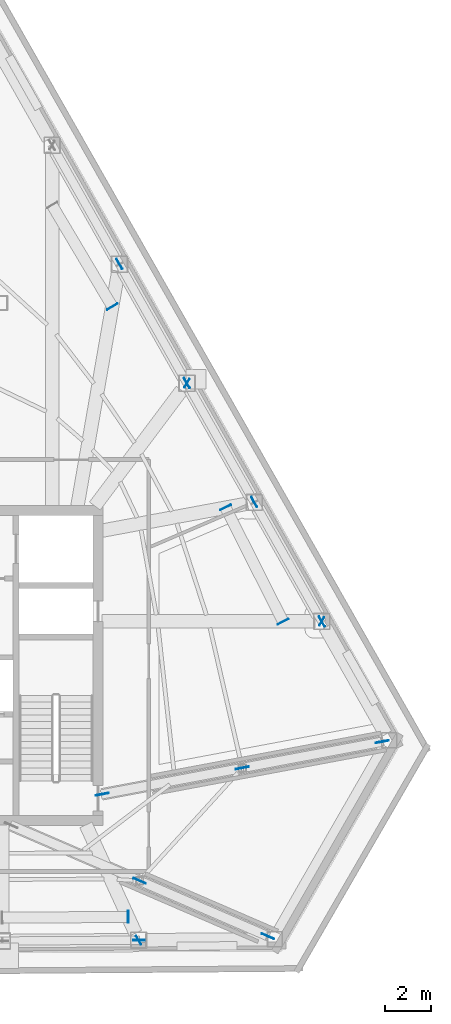
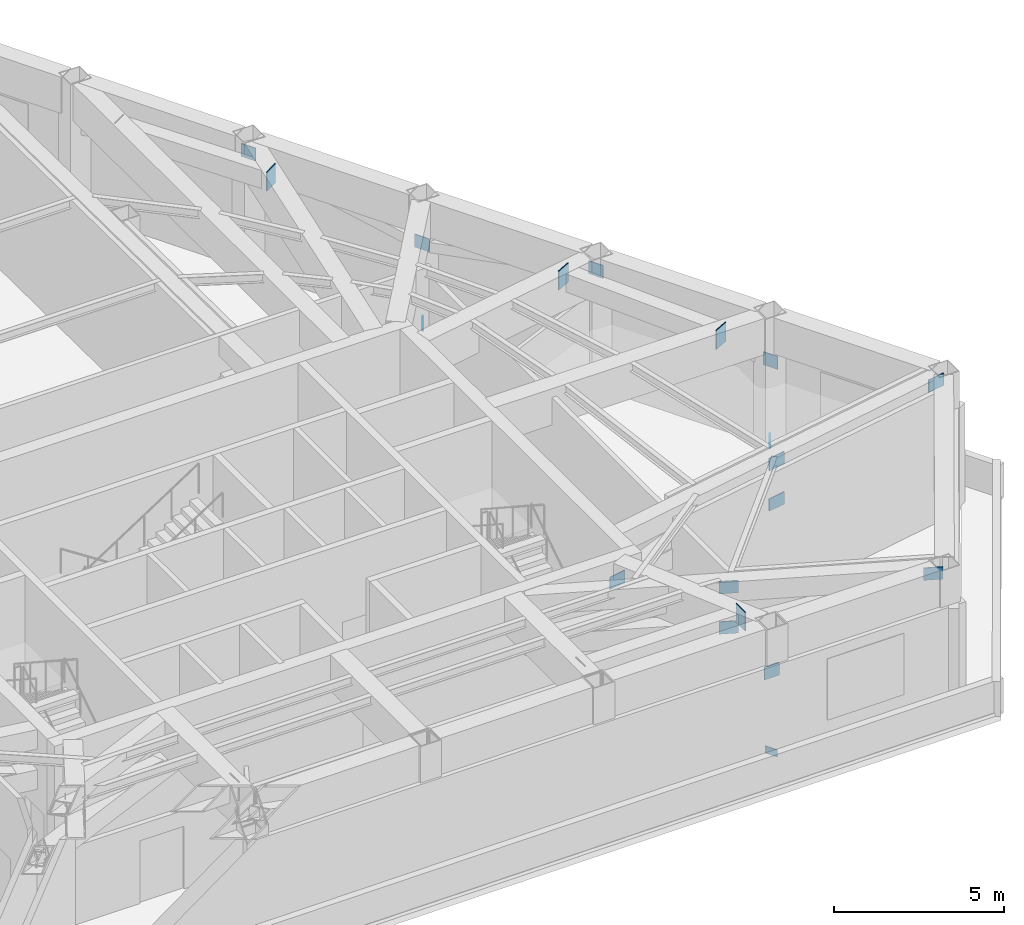
# One storey, part 7 of 13: 19 plates.
"""IFC4 building model written with IfcOpenShell, lengths in metres."""

import ifcopenshell
import ifcopenshell.guid

model = None  # the IFC model being written
_history = None  # IfcOwnerHistory: only IFC2X3 demands one
_inside = {}  # id of a spatial element -> (the spatial element, [elements in it])
_under = {}  # id of a project, library or spatial element -> (it, [spatial elements below it])
_declared = {}  # id of a project -> (the project, [libraries it declares])
_typed = {}  # id of a type object -> (the type object, [elements of that type])
_made_of = {}  # id of a material, layer set ... -> (it, [elements and type objects made of it])


def new_model(schema):
    """Start an empty IFC model of exactly this schema.

    Asked for "IFC4X3", IfcOpenShell would pick the latest addendum, in which some entities
    have other attributes; the version numbers below select the first issue.
    IFC2X3 requires an IfcOwnerHistory on every rooted entity: one is made here for all.
    """
    global model, _history
    if schema == "IFC4X3":
        model = ifcopenshell.file(schema_version=(4, 3, 0, 0))
    else:
        model = ifcopenshell.file(schema=schema)
    _inside.clear()
    _under.clear()
    _declared.clear()
    _typed.clear()
    _made_of.clear()
    _history = None
    if model.schema == "IFC2X3":
        org = make("IfcOrganization", Name="unknown")
        user = make(
            "IfcPersonAndOrganization",
            ThePerson=make("IfcPerson", FamilyName="unknown"),
            TheOrganization=org,
        )
        app = make(
            "IfcApplication",
            ApplicationDeveloper=org,
            Version="unknown",
            ApplicationFullName="unknown",
            ApplicationIdentifier="unknown",
        )
        _history = make(
            "IfcOwnerHistory",
            OwningUser=user,
            OwningApplication=app,
            ChangeAction="ADDED",
            CreationDate=0,
        )
    return model


def make(cls, **values):
    """One entity of the class cls with the attributes given. An attribute that is None is left unset."""
    return model.create_entity(
        cls, **{name: value for name, value in values.items() if value is not None}
    )


def rooted(cls, **values):
    """An entity with a GlobalId (a new one), such as an element, a storey or a relation."""
    return make(cls, GlobalId=ifcopenshell.guid.new(), OwnerHistory=_history, **values)


def si_unit(unit_type, name, prefix=None):
    """IfcSIUnit, for example si_unit("LENGTHUNIT", "METRE", prefix="MILLI")."""
    return make("IfcSIUnit", UnitType=unit_type, Prefix=prefix, Name=name)


def assignment(units):
    """IfcUnitAssignment: the units of a project."""
    return None if units is None else make("IfcUnitAssignment", Units=units)


def point(xyz):
    """IfcCartesianPoint."""
    return None if xyz is None else make("IfcCartesianPoint", Coordinates=xyz)


def direction(xyz):
    """IfcDirection."""
    return None if xyz is None else make("IfcDirection", DirectionRatios=xyz)


def frame(location, z_axis=None, x_axis=None):
    """IfcAxis2Placement3D, a coordinate frame: its origin and axes. An axis left out is left unset."""
    return make(
        "IfcAxis2Placement3D",
        Location=point(location),
        Axis=direction(z_axis),
        RefDirection=direction(x_axis),
    )


def frame_2d(location, x_axis=None):
    """IfcAxis2Placement2D, a coordinate frame in the plane: its origin and x axis."""
    return make(
        "IfcAxis2Placement2D", Location=point(location), RefDirection=direction(x_axis)
    )


def origin():
    """The frame at (0, 0, 0) with its axes left unset."""
    return frame((0.0, 0.0, 0.0))


def origin_2d():
    """The frame at (0, 0) in the plane with its x axis left unset."""
    return frame_2d((0.0, 0.0))


def place(relative_to, where):
    """IfcLocalPlacement: puts the frame where relative to a parent placement (None: the world)."""
    return make(
        "IfcLocalPlacement", PlacementRelTo=relative_to, RelativePlacement=where
    )


def context(
    kind, dimensions, precision=None, world=None, true_north=None, identifier=None
):
    """IfcGeometricRepresentationContext, for example the 3D "Model" context."""
    return make(
        "IfcGeometricRepresentationContext",
        ContextIdentifier=identifier,
        ContextType=kind,
        CoordinateSpaceDimension=dimensions,
        Precision=precision,
        WorldCoordinateSystem=world,
        TrueNorth=true_north,
    )


def subcontext(parent, identifier, kind, view, scale=None):
    """IfcGeometricRepresentationSubContext, for example "Body" below "Model"."""
    return make(
        "IfcGeometricRepresentationSubContext",
        ContextIdentifier=identifier,
        ContextType=kind,
        ParentContext=parent,
        TargetScale=scale,
        TargetView=view,
    )


def project(units=None, contexts=None):
    """IfcProject with its units and contexts."""
    return rooted(
        "IfcProject",
        Name="project",
        RepresentationContexts=contexts,
        UnitsInContext=assignment(units),
    )


def spatial(cls, under=None, at=None, **own):
    """A site, building, storey or space (cls), placed at a placement, below another one or the project."""
    s = rooted(cls, ObjectPlacement=at, **own)
    if under is not None:
        _under.setdefault(under.id(), (under, []))[1].append(s)
    return s


def profile(cls, at=None, kind="AREA", **sizes):
    """A parametric profile (cls). Its sizes go by their IFC names, for example OverallWidth=200.0."""
    return make(cls, ProfileType=kind, Position=at, **sizes)


def rectangle(**sizes):
    """IfcRectangleProfileDef."""
    return profile("IfcRectangleProfileDef", **sizes)


def extrude(swept, where, along, depth):
    """IfcExtrudedAreaSolid: the profile swept, set in the frame where, extruded along a direction by depth."""
    return make(
        "IfcExtrudedAreaSolid",
        SweptArea=swept,
        Position=where,
        ExtrudedDirection=direction(along),
        Depth=depth,
    )


def shape(context_of_items, identifier, shape_type, items):
    """IfcShapeRepresentation: the items that make up one representation, for example the "Body"."""
    return make(
        "IfcShapeRepresentation",
        ContextOfItems=context_of_items,
        RepresentationIdentifier=identifier,
        RepresentationType=shape_type,
        Items=items,
    )


def material(Name=None, Category=None):
    """IfcMaterial."""
    return make("IfcMaterial", Name=Name, Category=Category)


def layer(
    of_material, thickness, ventilated=None, Name=None, Category=None, Priority=None
):
    """IfcMaterialLayer: one layer of a wall or slab, of a material (None: an air gap)."""
    return make(
        "IfcMaterialLayer",
        Material=of_material,
        LayerThickness=thickness,
        IsVentilated=ventilated,
        Name=Name,
        Category=Category,
        Priority=Priority,
    )


def layer_set(layers, Name=None):
    """IfcMaterialLayerSet."""
    return make("IfcMaterialLayerSet", MaterialLayers=layers, LayerSetName=Name)


def made_of(thing, what):
    """Note that an element or type object is made of a material, layer set ...; save() writes the relation."""
    if what is not None:
        _made_of.setdefault(what.id(), (what, []))[1].append(thing)
    return thing


def type_object(cls, material=None, **own):
    """A type object (cls), such as IfcWallType, which elements share."""
    return made_of(rooted(cls, **own), material)


def element(
    cls,
    number,
    at=None,
    inside=None,
    cuts=None,
    type_object=None,
    material=None,
    context=None,
    identifier="Body",
    shape_type=None,
    held_by="IfcProductDefinitionShape",
    body=None,
    shapes=None,
    **own,
):
    """One element of the class cls, such as IfcWall. Its Tag is "e" and its number.

    at: its placement. inside: the storey or other place that contains it. cuts: it is an
    opening in that element (IfcRelVoidsElement). A single representation is given by context,
    identifier, shape_type and body (its items); several are given by shapes. held_by: the class
    of the entity that holds the representations. save() writes the other relations.
    """
    e = rooted(cls, Tag="e%d" % number, ObjectPlacement=at, **own)
    if body is not None:
        shapes = [shape(context, identifier, shape_type, body)]
    if shapes is not None:
        e.Representation = make(held_by, Representations=shapes)
    if inside is not None:
        _inside.setdefault(inside.id(), (inside, []))[1].append(e)
    if cuts is not None:
        rooted(
            "IfcRelVoidsElement", RelatingBuildingElement=cuts, RelatedOpeningElement=e
        )
    if type_object is not None:
        _typed.setdefault(type_object.id(), (type_object, []))[1].append(e)
    return made_of(e, material)


def aggregate(whole, parts):
    """IfcRelAggregates: a whole, such as a stair, and the parts it consists of."""
    return rooted("IfcRelAggregates", RelatingObject=whole, RelatedObjects=parts)


def save(model, path):
    """Write the relations noted so far, then the file.

    IfcRelAggregates (storeys below a building ...), IfcRelContainedInSpatialStructure (elements
    in a storey), IfcRelDefinesByType, IfcRelAssociatesMaterial and IfcRelDeclares: one each for
    every whole, place, type object, material and project.
    """
    for whole, parts in _under.values():
        aggregate(whole, parts)
    for where, things in _inside.values():
        rooted(
            "IfcRelContainedInSpatialStructure",
            RelatedElements=things,
            RelatingStructure=where,
        )
    for kind, things in _typed.values():
        rooted("IfcRelDefinesByType", RelatedObjects=things, RelatingType=kind)
    for what, things in _made_of.values():
        rooted("IfcRelAssociatesMaterial", RelatedObjects=things, RelatingMaterial=what)
    for by, libraries in _declared.values():
        rooted("IfcRelDeclares", RelatingContext=by, RelatedDefinitions=libraries)
    model.write(path)


model = new_model("IFC4")

# Units and contexts
model_context = context("Model", 3, precision=1e-05, world=origin(), true_north=direction((0.0, 1.0)))
body_context = subcontext(model_context, "Body", "Model", "MODEL_VIEW")
ifc_project = project(units=[si_unit("LENGTHUNIT", "METRE"), si_unit("AREAUNIT", "SQUARE_METRE"), si_unit("VOLUMEUNIT", "CUBIC_METRE"), si_unit("PLANEANGLEUNIT", "RADIAN"), si_unit("MASSUNIT", "GRAM", prefix="KILO")], contexts=[model_context])

# Site, building, storey
site_placement = place(None, origin())
site = spatial("IfcSite", under=ifc_project, at=site_placement, CompositionType="ELEMENT")
building_placement = place(site_placement, origin())
building = spatial("IfcBuilding", under=site, at=building_placement, Name="Kavelnor Concourse Tower", CompositionType="ELEMENT")
storey_placement = place(building_placement, frame((0.0, 0.0, 154.800048828125)))
storey = spatial("IfcBuildingStorey", under=building, at=storey_placement, Name="L39", CompositionType="ELEMENT", Elevation=154.800048828125)

# Plates
ifc_material = material(Name="Steel Grade 350", Category="steel")
ifc_layer_1 = layer(ifc_material, 0.035888671875, Name="Steel Grade 350")
ifc_layer_set_1 = layer_set([ifc_layer_1], Name="Steel Grade 350")
plate_type_1 = type_object("IfcPlateType", Name="PL-GUSSET-OUTRIG", PredefinedType="USERDEFINED", material=ifc_layer_set_1)
for number, where, z_axis, x_axis, name in (
    (1, (49.539306640625, 6.7734375, 2.9599609375), (0.0, 0.0, 1.0), (0.917893200535, -0.396827509647, 0.0), "L39 Outrigger Truss Node Gusset Plate GP2 F1B-MB"),
    (2, (49.539306640625, 6.7734375, 4.405029296875), (0.0, 0.0, 1.0), (0.917893200535, -0.396827509647, 0.0), "L39 Outrigger Truss Node Gusset Plate GP2 F1B-MT"),
    (3, (55.097412109375, 4.37109375, 4.405029296875), (0.0, 0.0, 1.0), (0.917893200535, -0.396827509647, 0.0), "L39 Outrigger Truss Node Gusset Plate GP2 F1B-B1"),
    (4, (47.920654296875, 10.523681640625, 2.9599609375), (0.0, 0.0, 1.0), (0.982838897713, 0.184465989119, 0.0), "L39 Outrigger Truss Node Gusset Plate GP2 F2A-B0"),
    (5, (53.985107421875, 11.662109375, 2.9599609375), (0.0, 0.0, 1.0), (0.982838897713, 0.184465989119, 0.0), "L39 Outrigger Truss Node Gusset Plate GP2 F2A-MB"),
    (6, (53.985107421875, 11.662109375, 4.405029296875), (0.0, 0.0, 1.0), (0.982838897713, 0.184465989119, 0.0), "L39 Outrigger Truss Node Gusset Plate GP2 F2A-MT"),
    (7, (60.04931640625, 12.80029296875, 4.405029296875), (0.0, 0.0, 1.0), (0.982838897713, 0.184465989119, 0.0), "L39 Outrigger Truss Node Gusset Plate GP2 F2A-B1"),
):
    element("IfcPlate", number, at=place(storey_placement, frame(where, z_axis=z_axis, x_axis=x_axis)), inside=storey, type_object=plate_type_1, Name=name, ObjectType="GUSSET_PLATE", PredefinedType="USERDEFINED", context=body_context, shape_type="SweptSolid", body=[
        extrude(rectangle(XDim=0.580078125, YDim=0.035888671875, at=origin_2d()), origin(), (0.0, 0.0, 1.0), 0.43994140625),
    ])
for number, where, z_axis, x_axis, name in (
    (8, (49.51171875, 4.20361328125, 2.949951171875), (0.0, 0.0, 1.0), (-0.999981342241, -0.006108614391, 0.0), "L39 Belt Truss Diagonal F1-B4 End Gusset A"),
    (9, (57.4365234375, 18.002197265625, 2.949951171875), (0.0, 0.0, 1.0), (-0.492727341548, 0.87018375467, 0.0), "L39 Belt Truss Diagonal F2-B1 End Gusset A"),
    (10, (54.50537109375, 23.1787109375, 4.10498046875), (0.0, 0.0, 1.0), (-0.492727341548, 0.87018375467, 0.0), "L39 Belt Truss Diagonal F2-B1 End Gusset B"),
    (11, (51.586181640625, 28.334716796875, 2.949951171875), (0.0, 0.0, 1.0), (0.492727341548, -0.87018375467, 0.0), "L39 Belt Truss Diagonal F2-B2 End Gusset A"),
    (12, (48.666748046875, 33.490478515625, 4.10498046875), (0.0, 0.0, 1.0), (-0.492727341548, 0.87018375467, 0.0), "L39 Belt Truss Diagonal F2-B3 End Gusset B"),
):
    element("IfcPlate", number, at=place(storey_placement, frame(where, z_axis=z_axis, x_axis=x_axis)), inside=storey, type_object=plate_type_1, Name=name, ObjectType="GUSSET_PLATE", PredefinedType="USERDEFINED", context=body_context, shape_type="SweptSolid", body=[
        extrude(rectangle(XDim=0.5, YDim=0.035888671875, at=origin_2d()), origin(), (0.0, 0.0, 1.0), 0.4599609375),
    ])
ifc_layer_2 = layer(ifc_material, 0.02490234375, Name="Steel Grade 350")
ifc_layer_set_2 = layer_set([ifc_layer_2], Name="Steel Grade 350")
plate_type_2 = type_object("IfcPlateType", Name="PL-SPLICE-FLANGE", PredefinedType="SHEET", material=ifc_layer_set_2)
for number, where, z_axis, x_axis, name in (
    (13, (49.499755859375, 4.20361328125, 0.169921875), (0.0, 0.0, 1.0), (-0.5, 0.866025403784, 0.0), "L39 Column Flange Splice Plate F1-B5"),
    (14, (57.4306640625, 18.012451171875, 0.169921875), (0.0, 0.0, 1.0), (-0.5, -0.866025403784, 0.0), "L39 Column Flange Splice Plate F2-B1"),
    (15, (51.592041015625, 28.32421875, 0.169921875), (0.0, 0.0, 1.0), (-0.5, -0.866025403784, 0.0), "L39 Column Flange Splice Plate F2-B3"),
):
    element("IfcPlate", number, at=place(storey_placement, frame(where, z_axis=z_axis, x_axis=x_axis)), inside=storey, type_object=plate_type_2, Name=name, PredefinedType="SHEET", context=body_context, shape_type="SweptSolid", body=[
        extrude(rectangle(XDim=0.419921875, YDim=0.02490234375, at=origin_2d()), origin(), (0.0, 0.0, 1.0), 0.260009765625),
    ])
for number, where, z_axis, x_axis, name in (
    (16, (49.050048828125, 5.210693359375, 4.31494140625), (0.0, 0.0, 1.0), (-0.006108614391, 0.999981342241, 0.0), "L39 Belt Truss Chord End Cap F1-B4-B"),
    (17, (55.754150390625, 18.002685546875, 4.31494140625), (0.0, 0.0, 1.0), (0.892978943411, 0.450098441037, 0.0), "L39 Belt Truss Chord End Cap F2-B1-A"),
    (18, (53.26220703125, 22.94677734375, 4.31494140625), (0.0, 0.0, 1.0), (-0.892978943411, -0.450098441037, 0.0), "L39 Belt Truss Chord End Cap F2-B1-B"),
    (19, (48.35986328125, 31.64306640625, 4.31494140625), (0.0, 0.0, 1.0), (0.859941365049, 0.510392837604, 0.0), "L39 Belt Truss Chord End Cap F2-B4-A"),
):
    element("IfcPlate", number, at=place(storey_placement, frame(where, z_axis=z_axis, x_axis=x_axis)), inside=storey, type_object=plate_type_2, Name=name, PredefinedType="SHEET", context=body_context, shape_type="SweptSolid", body=[
        extrude(rectangle(XDim=0.52001953125, YDim=0.028076171875, at=origin_2d()), origin(), (0.0, 0.0, 1.0), 0.68994140625),
    ])

save(model, "model.ifc")
